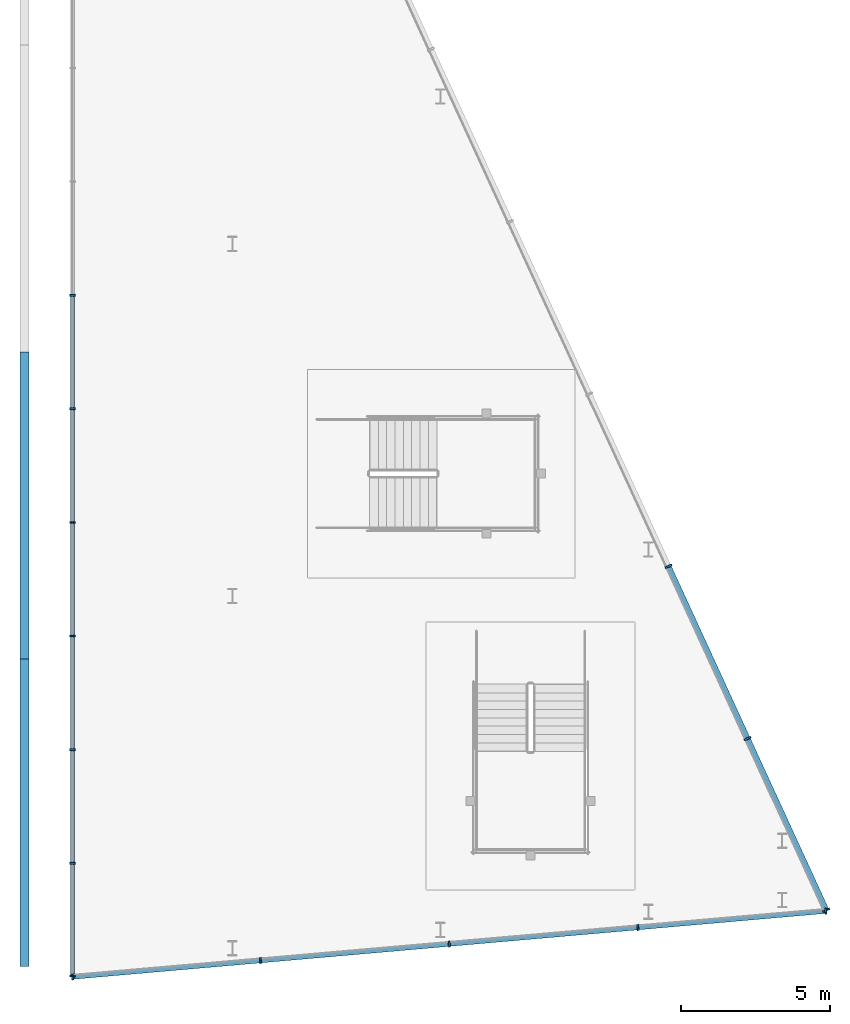
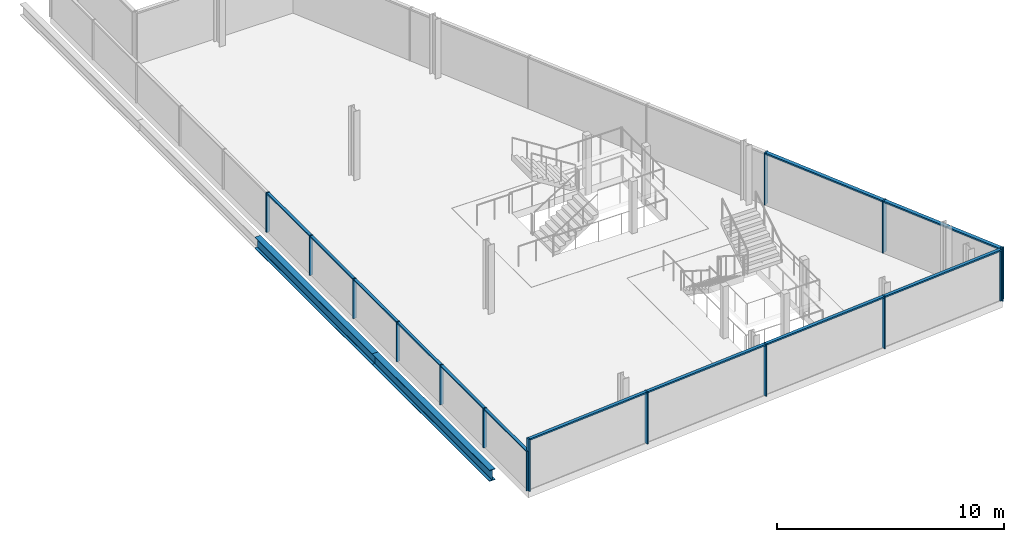
# One storey, part 2 of 6: 27 members, 2 beams, 3 elements without a shape of their own.
"""IFC4 building model written with IfcOpenShell, lengths in metres."""

from ifc_helpers import new_model, si_unit, direction, frame, origin, origin_2d, place, context, subcontext, project, spatial, rectangle, i_section, extrude, material, material_profile, profile_set, type_object, element, aggregate, save


model = new_model("IFC4")

# Units and contexts
model_context = context("Model", 3, precision=1e-05, world=origin(), true_north=direction((0.0, 1.0)))
body_context = subcontext(model_context, "Body", "Model", "MODEL_VIEW")
ifc_project = project(units=[si_unit("LENGTHUNIT", "METRE"), si_unit("AREAUNIT", "SQUARE_METRE"), si_unit("VOLUMEUNIT", "CUBIC_METRE"), si_unit("PLANEANGLEUNIT", "RADIAN"), si_unit("MASSUNIT", "GRAM", prefix="KILO")], contexts=[model_context])

# Site, building, storey
site_placement = place(None, origin())
site = spatial("IfcSite", under=ifc_project, at=site_placement, CompositionType="ELEMENT")
building_placement = place(site_placement, origin())
building = spatial("IfcBuilding", under=site, at=building_placement, Name="Wharfspan Tower", CompositionType="ELEMENT")
storey_placement = place(building_placement, frame((0.0, 0.0, 273.899902)))
storey = spatial("IfcBuildingStorey", under=building, at=storey_placement, Name="L70", CompositionType="ELEMENT", Elevation=273.899902)

# Curtain wall, members
ifc_material_1 = material(Name="Aluminium 6063-T6", Category="aluminium")
curtain_wall_type_1 = type_object("IfcCurtainWallType", Name="CURTAIN WALL CROWN GABLE", PredefinedType="NOTDEFINED", material=ifc_material_1)
curtain_wall_1_placement = place(storey_placement, origin())
curtain_wall_1 = element("IfcCurtainWall", 1, at=curtain_wall_1_placement, inside=storey, type_object=curtain_wall_type_1, Name="Crown gable glazing", PredefinedType="NOTDEFINED")
ifc_material_profile_1 = material_profile(ifc_material_1, rectangle(XDim=0.179932, YDim=0.060059, at=origin_2d()))
ifc_profile_set_1 = profile_set([ifc_material_profile_1], Name="Aluminium 6063-T6")
member_type_1 = type_object("IfcMemberType", Name="MULLION CROWN GABLE 60x180", PredefinedType="MULLION", material=ifc_profile_set_1)
member_1_placement = place(storey_placement, frame((52.611328, 6.608887, 0.0), z_axis=(0.0, 0.0, 1.0), x_axis=(-1.0, 0.0, 0.0)))
member_1 = element("IfcMember", 2, at=member_1_placement, type_object=member_type_1, Name="Crown gable glazing mullion 1", PredefinedType="MULLION", context=body_context, shape_type="SweptSolid", body=[
    extrude(rectangle(XDim=0.179932, YDim=0.060059, at=origin_2d()), origin(), (0.0, 0.0, 1.0), 2.124512),
])
member_2_placement = place(storey_placement, frame((52.611328, 10.403076, 0.0), z_axis=(0.0, 0.0, 1.0), x_axis=(-1.0, 0.0, 0.0)))
member_2 = element("IfcMember", 3, at=member_2_placement, type_object=member_type_1, Name="Crown gable glazing mullion 2", PredefinedType="MULLION", context=body_context, shape_type="SweptSolid", body=[
    extrude(rectangle(XDim=0.179932, YDim=0.060059, at=origin_2d()), origin(), (0.0, 0.0, 1.0), 2.124512),
])
member_3_placement = place(storey_placement, frame((52.611328, 14.227539, 0.0), z_axis=(0.0, 0.0, 1.0), x_axis=(-1.0, 0.0, 0.0)))
member_3 = element("IfcMember", 4, at=member_3_placement, type_object=member_type_1, Name="Crown gable glazing mullion 3", PredefinedType="MULLION", context=body_context, shape_type="SweptSolid", body=[
    extrude(rectangle(XDim=0.179932, YDim=0.060059, at=origin_2d()), origin(), (0.0, 0.0, 1.0), 2.124512),
])
member_4_placement = place(storey_placement, frame((52.611328, 18.051758, 0.0), z_axis=(0.0, 0.0, 1.0), x_axis=(-1.0, 0.0, 0.0)))
member_4 = element("IfcMember", 5, at=member_4_placement, type_object=member_type_1, Name="Crown gable glazing mullion 4", PredefinedType="MULLION", context=body_context, shape_type="SweptSolid", body=[
    extrude(rectangle(XDim=0.179932, YDim=0.060059, at=origin_2d()), origin(), (0.0, 0.0, 1.0), 2.124512),
])
member_5_placement = place(storey_placement, frame((52.611328, 21.876221, 0.0), z_axis=(0.0, 0.0, 1.0), x_axis=(-1.0, 0.0, 0.0)))
member_5 = element("IfcMember", 6, at=member_5_placement, type_object=member_type_1, Name="Crown gable glazing mullion 5", PredefinedType="MULLION", context=body_context, shape_type="SweptSolid", body=[
    extrude(rectangle(XDim=0.179932, YDim=0.060059, at=origin_2d()), origin(), (0.0, 0.0, 1.0), 2.124512),
])
member_6_placement = place(storey_placement, frame((52.611328, 25.700439, 0.0), z_axis=(0.0, 0.0, 1.0), x_axis=(-1.0, 0.0, 0.0)))
member_6 = element("IfcMember", 7, at=member_6_placement, type_object=member_type_1, Name="Crown gable glazing mullion 6", PredefinedType="MULLION", context=body_context, shape_type="SweptSolid", body=[
    extrude(rectangle(XDim=0.179932, YDim=0.060059, at=origin_2d()), origin(), (0.0, 0.0, 1.0), 2.124512),
])
member_7_placement = place(storey_placement, frame((52.611328, 29.524658, 0.0), z_axis=(0.0, 0.0, 1.0), x_axis=(-1.0, 0.0, 0.0)))
member_7 = element("IfcMember", 8, at=member_7_placement, type_object=member_type_1, Name="Crown gable glazing mullion 7", PredefinedType="MULLION", context=body_context, shape_type="SweptSolid", body=[
    extrude(rectangle(XDim=0.179932, YDim=0.060059, at=origin_2d()), origin(), (0.0, 0.0, 1.0), 2.124512),
])

curtain_wall_type_2 = type_object("IfcCurtainWallType", Name="CURTAIN WALL FACETED FRONT", PredefinedType="NOTDEFINED", material=ifc_material_1)
curtain_wall_2_placement = place(storey_placement, origin())
curtain_wall_2 = element("IfcCurtainWall", 9, at=curtain_wall_2_placement, inside=storey, type_object=curtain_wall_type_2, Name="Crown curtain wall S2", PredefinedType="NOTDEFINED")
ifc_material_profile_2 = material_profile(ifc_material_1, rectangle(XDim=0.199951, YDim=0.060059, at=origin_2d()))
ifc_profile_set_2 = profile_set([ifc_material_profile_2], Name="Aluminium 6063-T6")
member_type_2 = type_object("IfcMemberType", Name="MULLION FACETED FRONT 60x200", PredefinedType="MULLION", material=ifc_profile_set_2)
member_8_placement = place(storey_placement, frame((52.621338, 6.57959, 0.0), z_axis=(0.0, 0.0, 1.0), x_axis=(-0.087156, 0.996198, 0.0)))
member_8 = element("IfcMember", 10, at=member_8_placement, type_object=member_type_2, Name="Crown curtain wall S2 mullion 1", PredefinedType="MULLION", context=body_context, shape_type="SweptSolid", body=[
    extrude(rectangle(XDim=0.199951, YDim=0.060059, at=origin_2d()), origin(), (0.0, 0.0, 1.0), 2.800049),
])
member_9_placement = place(storey_placement, frame((58.943604, 7.132812, 0.0), z_axis=(0.0, 0.0, 1.0), x_axis=(-0.087156, 0.996198, 0.0)))
member_9 = element("IfcMember", 11, at=member_9_placement, type_object=member_type_2, Name="Crown curtain wall S2 mullion 2", PredefinedType="MULLION", context=body_context, shape_type="SweptSolid", body=[
    extrude(rectangle(XDim=0.199951, YDim=0.060059, at=origin_2d()), origin(), (0.0, 0.0, 1.0), 2.800049),
])
member_10_placement = place(storey_placement, frame((65.295654, 7.688477, 0.0), z_axis=(0.0, 0.0, 1.0), x_axis=(-0.087156, 0.996198, 0.0)))
member_10 = element("IfcMember", 12, at=member_10_placement, type_object=member_type_2, Name="Crown curtain wall S2 mullion 3", PredefinedType="MULLION", context=body_context, shape_type="SweptSolid", body=[
    extrude(rectangle(XDim=0.199951, YDim=0.060059, at=origin_2d()), origin(), (0.0, 0.0, 1.0), 2.800049),
])
member_11_placement = place(storey_placement, frame((71.647949, 8.244141, 0.0), z_axis=(0.0, 0.0, 1.0), x_axis=(-0.087156, 0.996198, 0.0)))
member_11 = element("IfcMember", 13, at=member_11_placement, type_object=member_type_2, Name="Crown curtain wall S2 mullion 4", PredefinedType="MULLION", context=body_context, shape_type="SweptSolid", body=[
    extrude(rectangle(XDim=0.199951, YDim=0.060059, at=origin_2d()), origin(), (0.0, 0.0, 1.0), 2.800049),
])
member_12_placement = place(storey_placement, frame((77.970215, 8.797363, 0.0), z_axis=(0.0, 0.0, 1.0), x_axis=(-0.087156, 0.996198, 0.0)))
member_12 = element("IfcMember", 14, at=member_12_placement, type_object=member_type_2, Name="Crown curtain wall S2 mullion 5", PredefinedType="MULLION", context=body_context, shape_type="SweptSolid", body=[
    extrude(rectangle(XDim=0.199951, YDim=0.060059, at=origin_2d()), origin(), (0.0, 0.0, 1.0), 2.800049),
])

curtain_wall_type_3 = type_object("IfcCurtainWallType", Name="CURTAIN WALL PROW AND END", PredefinedType="NOTDEFINED", material=ifc_material_1)
curtain_wall_3_placement = place(storey_placement, origin())
curtain_wall_3 = element("IfcCurtainWall", 15, at=curtain_wall_3_placement, inside=storey, type_object=curtain_wall_type_3, Name="Crown curtain wall E", PredefinedType="NOTDEFINED")
ifc_material_profile_3 = material_profile(ifc_material_1, rectangle(XDim=0.23999, YDim=0.060059, at=origin_2d()))
ifc_profile_set_3 = profile_set([ifc_material_profile_3], Name="Aluminium 6063-T6")
member_type_3 = type_object("IfcMemberType", Name="MULLION PROW AND END 60x240", PredefinedType="MULLION", material=ifc_profile_set_3)
member_13_placement = place(storey_placement, frame((77.987549, 8.827148, 0.0), z_axis=(0.0, 0.0, 1.0), x_axis=(-0.908769, -0.417292, 0.0)))
member_13 = element("IfcMember", 16, at=member_13_placement, type_object=member_type_3, Name="Crown curtain wall E mullion 1", PredefinedType="MULLION", context=body_context, shape_type="SweptSolid", body=[
    extrude(rectangle(XDim=0.23999, YDim=0.060059, at=origin_2d()), origin(), (0.0, 0.0, 1.0), 2.800049),
])
member_14_placement = place(storey_placement, frame((75.33667, 14.600098, 0.0), z_axis=(0.0, 0.0, 1.0), x_axis=(-0.908769, -0.417292, 0.0)))
member_14 = element("IfcMember", 17, at=member_14_placement, type_object=member_type_3, Name="Crown curtain wall E mullion 2", PredefinedType="MULLION", context=body_context, shape_type="SweptSolid", body=[
    extrude(rectangle(XDim=0.23999, YDim=0.060059, at=origin_2d()), origin(), (0.0, 0.0, 1.0), 2.800049),
])
member_15_placement = place(storey_placement, frame((72.673584, 20.399902, 0.0), z_axis=(0.0, 0.0, 1.0), x_axis=(-0.908769, -0.417292, 0.0)))
member_15 = element("IfcMember", 18, at=member_15_placement, type_object=member_type_3, Name="Crown curtain wall E mullion 3", PredefinedType="MULLION", context=body_context, shape_type="SweptSolid", body=[
    extrude(rectangle(XDim=0.23999, YDim=0.060059, at=origin_2d()), origin(), (0.0, 0.0, 1.0), 2.800049),
])

# Beams
ifc_material_2 = material(Name="Steel S355J2", Category="steel")
ifc_material_profile_4 = material_profile(ifc_material_2, i_section(OverallWidth=0.300049, OverallDepth=0.600098, WebThickness=0.015381, FlangeThickness=0.030029, FilletRadius=0.0271, at=origin_2d()))
ifc_profile_set_4 = profile_set([ifc_material_profile_4], Name="Steel S355J2")
beam_type = type_object("IfcBeamType", Name="Roof girder HEB 600", PredefinedType="BEAM", material=ifc_profile_set_4)
for number, where, z_axis, x_axis, name in (
    (19, (51.0, 6.937744, 1.178467), (0.0, 1.0, 0.0), (-1.0, 0.0, 0.0), "Roof girder G5 7 to 17"),
    (20, (51.0, 17.275146, 1.178467), (0.0, 1.0, 0.0), (-1.0, 0.0, 0.0), "Roof girder G5 17 to 28"),
):
    element("IfcBeam", number, at=place(storey_placement, frame(where, z_axis=z_axis, x_axis=x_axis)), inside=storey, type_object=beam_type, Name=name, PredefinedType="BEAM", context=body_context, shape_type="SweptSolid", body=[
        extrude(i_section(OverallWidth=0.300049, OverallDepth=0.600098, WebThickness=0.015381, FlangeThickness=0.030029, FilletRadius=0.0271, at=origin_2d()), origin(), (0.0, 0.0, 1.0), 10.337402),
    ])

# Member
ifc_material_profile_5 = material_profile(ifc_material_1, rectangle(XDim=0.139893, YDim=0.070068, at=origin_2d()))
ifc_profile_set_5 = profile_set([ifc_material_profile_5], Name="Aluminium 6063-T6")
member_type_4 = type_object("IfcMemberType", Name="TRANSOM CROWN GABLE 70x140", PredefinedType="USERDEFINED", material=ifc_profile_set_5)
member_16_placement = place(storey_placement, frame((52.611328, 6.638672, 2.089355), z_axis=(0.0, 1.0, 0.0), x_axis=(-1.0, 0.0, 0.0)))
member_16 = element("IfcMember", 21, at=member_16_placement, type_object=member_type_4, Name="Crown gable glazing transom 1", ObjectType="TRANSOM", PredefinedType="USERDEFINED", context=body_context, shape_type="SweptSolid", body=[
    extrude(rectangle(XDim=0.139893, YDim=0.070068, at=origin_2d()), origin(), (0.0, 0.0, 1.0), 3.734375),
])

member_17_placement = place(storey_placement, frame((52.611328, 10.433105, 2.089355), z_axis=(0.0, 1.0, 0.0), x_axis=(-1.0, 0.0, 0.0)))
member_17 = element("IfcMember", 22, at=member_17_placement, type_object=member_type_4, Name="Crown gable glazing transom 2", ObjectType="TRANSOM", PredefinedType="USERDEFINED", context=body_context, shape_type="SweptSolid", body=[
    extrude(rectangle(XDim=0.139893, YDim=0.070068, at=origin_2d()), origin(), (0.0, 0.0, 1.0), 3.764404),
])

member_18_placement = place(storey_placement, frame((52.611328, 14.257324, 2.089355), z_axis=(0.0, 1.0, 0.0), x_axis=(-1.0, 0.0, 0.0)))
member_18 = element("IfcMember", 23, at=member_18_placement, type_object=member_type_4, Name="Crown gable glazing transom 3", ObjectType="TRANSOM", PredefinedType="USERDEFINED", context=body_context, shape_type="SweptSolid", body=[
    extrude(rectangle(XDim=0.139893, YDim=0.070068, at=origin_2d()), origin(), (0.0, 0.0, 1.0), 3.764404),
])

member_19_placement = place(storey_placement, frame((52.611328, 18.081787, 2.089355), z_axis=(0.0, 1.0, 0.0), x_axis=(-1.0, 0.0, 0.0)))
member_19 = element("IfcMember", 24, at=member_19_placement, type_object=member_type_4, Name="Crown gable glazing transom 4", ObjectType="TRANSOM", PredefinedType="USERDEFINED", context=body_context, shape_type="SweptSolid", body=[
    extrude(rectangle(XDim=0.139893, YDim=0.070068, at=origin_2d()), origin(), (0.0, 0.0, 1.0), 3.764404),
])

member_20_placement = place(storey_placement, frame((52.611328, 21.906006, 2.089355), z_axis=(0.0, 1.0, 0.0), x_axis=(-1.0, 0.0, 0.0)))
member_20 = element("IfcMember", 25, at=member_20_placement, type_object=member_type_4, Name="Crown gable glazing transom 5", ObjectType="TRANSOM", PredefinedType="USERDEFINED", context=body_context, shape_type="SweptSolid", body=[
    extrude(rectangle(XDim=0.139893, YDim=0.070068, at=origin_2d()), origin(), (0.0, 0.0, 1.0), 3.764404),
])

member_21_placement = place(storey_placement, frame((52.611328, 25.730469, 2.089355), z_axis=(0.0, 1.0, 0.0), x_axis=(-1.0, 0.0, 0.0)))
member_21 = element("IfcMember", 26, at=member_21_placement, type_object=member_type_4, Name="Crown gable glazing transom 6", ObjectType="TRANSOM", PredefinedType="USERDEFINED", context=body_context, shape_type="SweptSolid", body=[
    extrude(rectangle(XDim=0.139893, YDim=0.070068, at=origin_2d()), origin(), (0.0, 0.0, 1.0), 3.764404),
])

aggregate(curtain_wall_1, [member_1, member_2, member_3, member_4, member_5, member_6, member_7, member_16, member_17, member_18, member_19, member_20, member_21])

ifc_material_profile_6 = material_profile(ifc_material_1, rectangle(XDim=0.159912, YDim=0.080078, at=origin_2d()))
ifc_profile_set_6 = profile_set([ifc_material_profile_6], Name="Aluminium 6063-T6")
member_type_5 = type_object("IfcMemberType", Name="TRANSOM FACETED FRONT 80x160", PredefinedType="USERDEFINED", material=ifc_profile_set_6)
member_22_placement = place(storey_placement, frame((52.651123, 6.582275, 2.76001), z_axis=(0.996195, 0.087149, 0.0), x_axis=(-0.087149, 0.996195, 0.0)))
member_22 = element("IfcMember", 27, at=member_22_placement, type_object=member_type_5, Name="Crown curtain wall S2 transom 1", ObjectType="TRANSOM", PredefinedType="USERDEFINED", context=body_context, shape_type="SweptSolid", body=[
    extrude(rectangle(XDim=0.159912, YDim=0.080078, at=origin_2d()), origin(), (0.0, 0.0, 1.0), 6.286377),
])

member_23_placement = place(storey_placement, frame((58.973389, 7.135498, 2.76001), z_axis=(0.996198, 0.08712, 0.0), x_axis=(-0.08712, 0.996198, 0.0)))
member_23 = element("IfcMember", 28, at=member_23_placement, type_object=member_type_5, Name="Crown curtain wall S2 transom 2", ObjectType="TRANSOM", PredefinedType="USERDEFINED", context=body_context, shape_type="SweptSolid", body=[
    extrude(rectangle(XDim=0.159912, YDim=0.080078, at=origin_2d()), origin(), (0.0, 0.0, 1.0), 6.316406),
])

member_24_placement = place(storey_placement, frame((65.325684, 7.691162, 2.76001), z_axis=(0.996194, 0.087162, 0.0), x_axis=(-0.087162, 0.996194, 0.0)))
member_24 = element("IfcMember", 29, at=member_24_placement, type_object=member_type_5, Name="Crown curtain wall S2 transom 3", ObjectType="TRANSOM", PredefinedType="USERDEFINED", context=body_context, shape_type="SweptSolid", body=[
    extrude(rectangle(XDim=0.159912, YDim=0.080078, at=origin_2d()), origin(), (0.0, 0.0, 1.0), 6.316162),
])

member_25_placement = place(storey_placement, frame((71.677734, 8.246826, 2.76001), z_axis=(0.996195, 0.087149, 0.0), x_axis=(-0.087149, 0.996195, 0.0)))
member_25 = element("IfcMember", 30, at=member_25_placement, type_object=member_type_5, Name="Crown curtain wall S2 transom 4", ObjectType="TRANSOM", PredefinedType="USERDEFINED", context=body_context, shape_type="SweptSolid", body=[
    extrude(rectangle(XDim=0.159912, YDim=0.080078, at=origin_2d()), origin(), (0.0, 0.0, 1.0), 6.286377),
])

aggregate(curtain_wall_2, [member_8, member_9, member_10, member_11, member_12, member_22, member_23, member_24, member_25])

ifc_material_profile_7 = material_profile(ifc_material_1, rectangle(XDim=0.179932, YDim=0.080078, at=origin_2d()))
ifc_profile_set_7 = profile_set([ifc_material_profile_7], Name="Aluminium 6063-T6")
member_type_6 = type_object("IfcMemberType", Name="TRANSOM PROW AND END 80x180", PredefinedType="USERDEFINED", material=ifc_profile_set_7)
member_26_placement = place(storey_placement, frame((77.974854, 8.854492, 2.76001), z_axis=(-0.417261, 0.908787, 0.0), x_axis=(-0.908787, -0.417261, 0.0)))
member_26 = element("IfcMember", 31, at=member_26_placement, type_object=member_type_6, Name="Crown curtain wall E transom 1", ObjectType="TRANSOM", PredefinedType="USERDEFINED", context=body_context, shape_type="SweptSolid", body=[
    extrude(rectangle(XDim=0.179932, YDim=0.080078, at=origin_2d()), origin(), (0.0, 0.0, 1.0), 6.292236),
])

member_27_placement = place(storey_placement, frame((75.324219, 14.627197, 2.76001), z_axis=(-0.41728, 0.908778, 0.0), x_axis=(-0.908778, -0.41728, 0.0)))
member_27 = element("IfcMember", 32, at=member_27_placement, type_object=member_type_6, Name="Crown curtain wall E transom 2", ObjectType="TRANSOM", PredefinedType="USERDEFINED", context=body_context, shape_type="SweptSolid", body=[
    extrude(rectangle(XDim=0.179932, YDim=0.080078, at=origin_2d()), origin(), (0.0, 0.0, 1.0), 6.322266),
])

aggregate(curtain_wall_3, [member_13, member_14, member_15, member_26, member_27])

save(model, "model.ifc")
